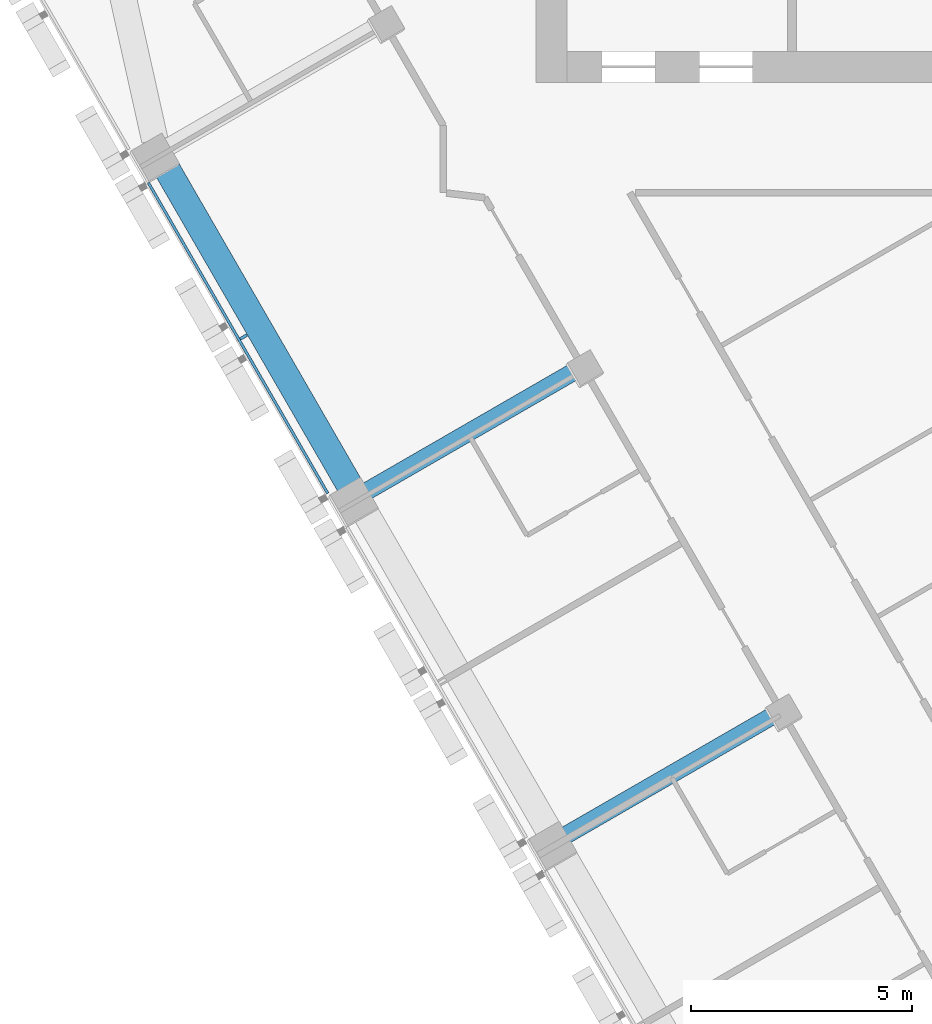
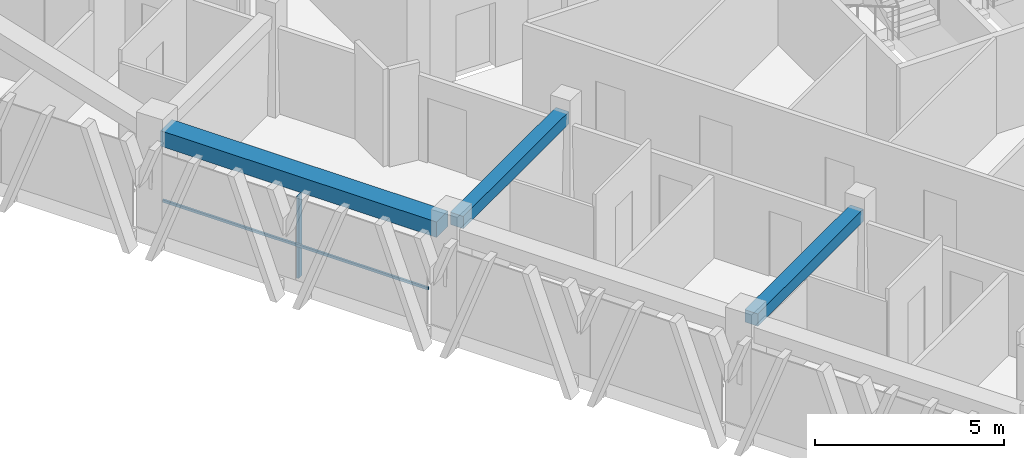
# One storey, part 3 of 15: 3 beams, 2 members, 1 element without a shape of its own.
"""IFC4 building model written with IfcOpenShell, lengths in metres."""

from ifc_helpers import new_model, si_unit, direction, frame, origin, origin_2d, place, context, subcontext, project, spatial, rectangle, extrude, material, layer, layer_set, material_profile, profile_set, type_object, element, aggregate, save


model = new_model("IFC4")

# Units and contexts
model_context = context("Model", 3, precision=1e-05, world=origin(), true_north=direction((0.0, 1.0)))
body_context = subcontext(model_context, "Body", "Model", "MODEL_VIEW")
ifc_project = project(units=[si_unit("LENGTHUNIT", "METRE"), si_unit("AREAUNIT", "SQUARE_METRE"), si_unit("VOLUMEUNIT", "CUBIC_METRE"), si_unit("PLANEANGLEUNIT", "RADIAN"), si_unit("MASSUNIT", "GRAM", prefix="KILO")], contexts=[model_context])

# Site, building, storey
site_placement = place(None, origin())
site = spatial("IfcSite", under=ifc_project, at=site_placement, CompositionType="ELEMENT")
building_placement = place(site_placement, origin())
building = spatial("IfcBuilding", under=site, at=building_placement, Name="Altiplano Prism Tower", CompositionType="ELEMENT")
storey_placement = place(building_placement, frame((0.0, 0.0, 171.0)))
storey = spatial("IfcBuildingStorey", under=building, at=storey_placement, Name="L44", CompositionType="ELEMENT", Elevation=171.0)

# Curtain wall, members
ifc_material_1 = material(Name="Aluminium and glass", Category="aluminium")
ifc_layer = layer(ifc_material_1, 0.280029296875)
ifc_layer_set = layer_set([ifc_layer], Name="Aluminium and glass")
curtain_wall_type = type_object("IfcCurtainWallType", Name="CW1 typical co-living unitised curtain wall", PredefinedType="NOTDEFINED", material=ifc_layer_set)
curtain_wall_placement = place(storey_placement, origin())
curtain_wall = element("IfcCurtainWall", 1, at=curtain_wall_placement, inside=storey, type_object=curtain_wall_type, Name="CW1 curtain wall south-west face L44", PredefinedType="NOTDEFINED")
ifc_material_2 = material(Name="Aluminium", Category="aluminium")
ifc_material_profile_1 = material_profile(ifc_material_2, rectangle(XDim=0.179931640625, YDim=0.06494140625, at=origin_2d()), Name="CW1 mullion 65 x 180")
ifc_profile_set_1 = profile_set([ifc_material_profile_1], Name="Aluminium")
member_type_1 = type_object("IfcMemberType", Name="CW1 mullion 65 x 180", PredefinedType="MULLION", material=ifc_profile_set_1)
member_1_placement = place(storey_placement, frame((65.677490234375, 86.93115234375, 0.0), z_axis=(0.0, 0.0, 1.0), x_axis=(0.866025408191, 0.499999992367, 0.0)))
member_1 = element("IfcMember", 2, at=member_1_placement, type_object=member_type_1, Name="CW1 mullion", PredefinedType="MULLION", context=body_context, shape_type="SweptSolid", body=[
    extrude(rectangle(XDim=0.179931640625, YDim=0.06494140625, at=origin_2d()), origin(), (0.0, 0.0, 1.0), 2.64990234375),
])
ifc_material_profile_2 = material_profile(ifc_material_2, rectangle(XDim=0.06005859375, YDim=0.080078125, at=origin_2d()), Name="CW1 transom 80 x 60")
ifc_profile_set_2 = profile_set([ifc_material_profile_2], Name="Aluminium")
member_type_2 = type_object("IfcMemberType", Name="CW1 transom 80 x 60", PredefinedType="USERDEFINED", material=ifc_profile_set_2)
member_2_placement = place(storey_placement, frame((63.52392578125, 90.421142578125, 1.10009765625), z_axis=(0.50001308349, -0.866017849896, 0.0), x_axis=(0.866017849896, 0.50001308349, 0.0)))
member_2 = element("IfcMember", 3, at=member_2_placement, type_object=member_type_2, Name="CW1 transom", ObjectType="TRANSOM", PredefinedType="USERDEFINED", context=body_context, shape_type="SweptSolid", body=[
    extrude(rectangle(XDim=0.06005859375, YDim=0.080078125, at=origin_2d()), origin(), (0.0, 0.0, 1.0), 8.119873046875),
])
aggregate(curtain_wall, [member_1, member_2])

# Beams
ifc_material_3 = material(Name="Concrete C60/75", Category="concrete")
ifc_material_profile_3 = material_profile(ifc_material_3, rectangle(XDim=0.60009765625, YDim=0.5, at=origin_2d()), Name="Edge beam 600x500")
ifc_profile_set_3 = profile_set([ifc_material_profile_3], Name="Concrete C60/75")
beam_type_1 = type_object("IfcBeamType", Name="Edge beam 600x500", PredefinedType="SPANDREL", material=ifc_profile_set_3)
beam_1_placement = place(storey_placement, frame((63.872802734375, 90.854248046875, 2.89990234375), z_axis=(0.499993714791, -0.866029032521, 0.0), x_axis=(0.866029032521, 0.499993714791, 0.0)))
element("IfcBeam", 4, at=beam_1_placement, inside=storey, type_object=beam_type_1, Name="Edge beam P11-P12 L45", PredefinedType="SPANDREL", context=body_context, shape_type="SweptSolid", body=[
    extrude(rectangle(XDim=0.60009765625, YDim=0.5, at=origin_2d()), origin(), (0.0, 0.0, 1.0), 8.43994140625),
])
ifc_material_profile_4 = material_profile(ifc_material_3, rectangle(XDim=0.39990234375, YDim=0.39990234375, at=origin_2d()), Name="Tie beam 400x400")
ifc_profile_set_4 = profile_set([ifc_material_profile_4], Name="Concrete C60/75")
beam_type_2 = type_object("IfcBeamType", Name="Tie beam 400x400", PredefinedType="BEAM", material=ifc_profile_set_4)
beam_2_placement = place(storey_placement, frame((73.31640625, 86.237548828125, 2.949951171875), z_axis=(-0.866030670444, -0.499990877767, 0.0), x_axis=(0.499990877767, -0.866030670444, 0.0)))
element("IfcBeam", 5, at=beam_2_placement, inside=storey, type_object=beam_type_2, Name="Tie beam I12 L45", PredefinedType="BEAM", context=body_context, shape_type="SweptSolid", body=[
    extrude(rectangle(XDim=0.39990234375, YDim=0.39990234375, at=origin_2d()), origin(), (0.0, 0.0, 1.0), 5.58984375),
])
beam_3_placement = place(storey_placement, frame((77.81640625, 78.443359375, 2.949951171875), z_axis=(-0.866011758658, -0.500023633308, 0.0), x_axis=(0.500023633308, -0.866011758658, 0.0)))
element("IfcBeam", 6, at=beam_3_placement, inside=storey, type_object=beam_type_2, Name="Tie beam I13 L45", PredefinedType="BEAM", context=body_context, shape_type="SweptSolid", body=[
    extrude(rectangle(XDim=0.39990234375, YDim=0.39990234375, at=origin_2d()), origin(), (0.0, 0.0, 1.0), 5.590087890625),
])

save(model, "model.ifc")
